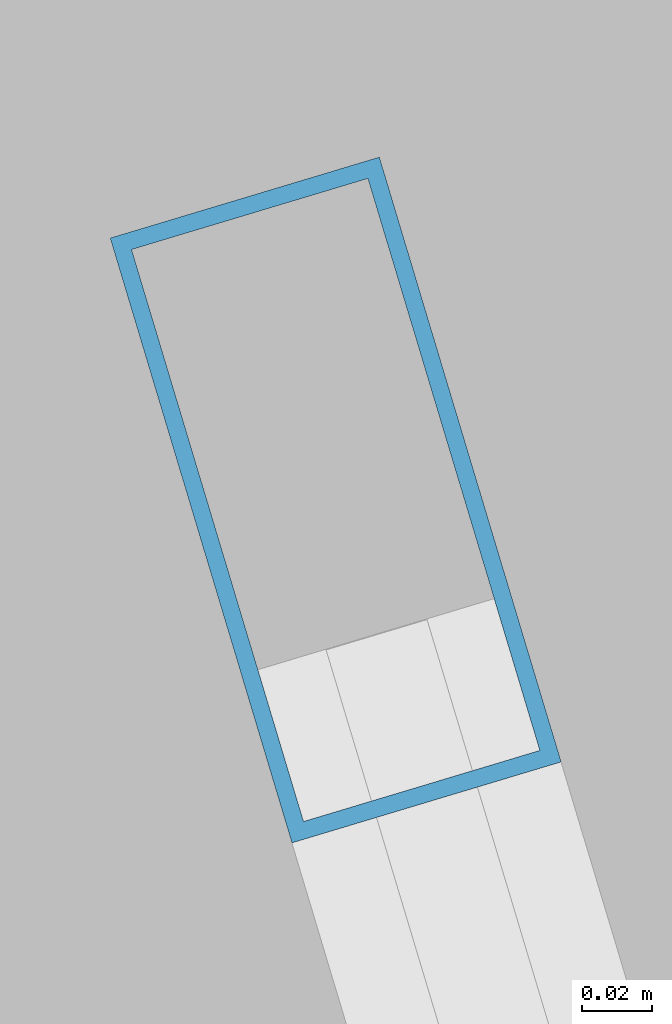
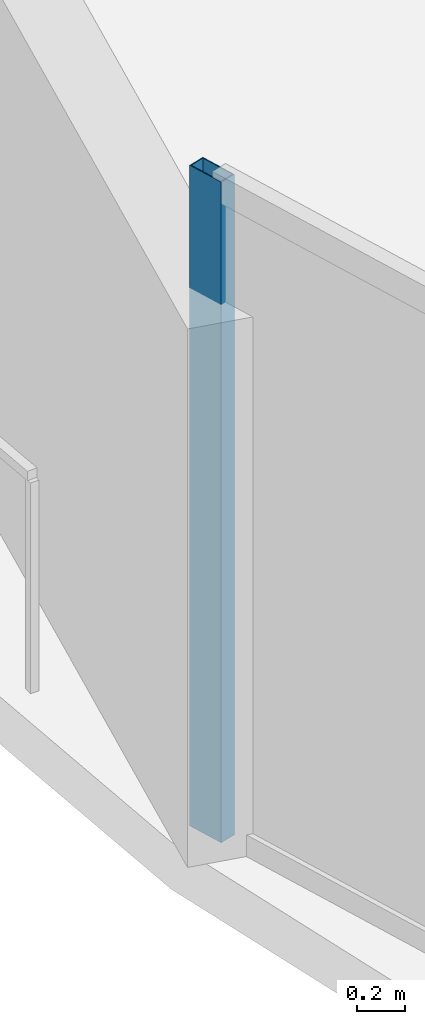
# One storey, part 8 of 32: 1 member, 1 element without a shape of its own.
"""IFC4 building model written with IfcOpenShell, lengths in metres."""

from ifc_helpers import new_model, si_unit, direction, frame, origin, origin_2d, place, context, subcontext, project, spatial, hollow_rectangle, extrude, material, layer, layer_set, material_profile, profile_set, type_object, element, aggregate, save


model = new_model("IFC4")

# Units and contexts
model_context = context("Model", 3, precision=1e-05, world=origin(), true_north=direction((0.0, 1.0)))
body_context = subcontext(model_context, "Body", "Model", "MODEL_VIEW")
ifc_project = project(units=[si_unit("LENGTHUNIT", "METRE"), si_unit("AREAUNIT", "SQUARE_METRE"), si_unit("VOLUMEUNIT", "CUBIC_METRE"), si_unit("PLANEANGLEUNIT", "RADIAN"), si_unit("MASSUNIT", "GRAM", prefix="KILO")], contexts=[model_context])

# Site, building, storey
site_placement = place(None, origin())
site = spatial("IfcSite", under=ifc_project, at=site_placement, CompositionType="ELEMENT")
building_placement = place(site_placement, origin())
building = spatial("IfcBuilding", under=site, at=building_placement, Name="Kazevale Care Tower and Concert Hall", CompositionType="ELEMENT")
storey_placement = place(building_placement, frame((0.0, 0.0, 85.199951171875)))
storey = spatial("IfcBuildingStorey", under=building, at=storey_placement, Name="L22", CompositionType="ELEMENT", Elevation=85.199951171875)

# Curtain wall, member
ifc_material_1 = material(Name="Aluminium 6063-T6 and Low-E Glass", Category="aluminium")
ifc_layer = layer(ifc_material_1, 0.179931640625)
ifc_layer_set = layer_set([ifc_layer], Name="Aluminium 6063-T6 and Low-E Glass")
curtain_wall_type = type_object("IfcCurtainWallType", Name="Waist & Upper Residential Curtain Wall CW-4", PredefinedType="NOTDEFINED", material=ifc_layer_set)
curtain_wall_placement = place(storey_placement, origin())
curtain_wall = element("IfcCurtainWall", 1, at=curtain_wall_placement, inside=storey, type_object=curtain_wall_type, Name="cw:L22:f12", PredefinedType="NOTDEFINED")
ifc_material_2 = material(Name="Aluminium 6063-T6", Category="aluminium")
ifc_material_profile = material_profile(ifc_material_2, hollow_rectangle(XDim=0.080078125, YDim=0.179931640625, WallThickness=0.0048828125, at=origin_2d()), Name="ALU80x180x5")
ifc_profile_set = profile_set([ifc_material_profile], Name="Aluminium 6063-T6")
member_type = type_object("IfcMemberType", Name="CW-4 Mullion ALU80x180x5", PredefinedType="MULLION", material=ifc_profile_set)
member_placement = place(storey_placement, frame((12.198486328125, 35.052734375, 0.0), z_axis=(0.0, 0.0, 1.0), x_axis=(-0.957661755703, -0.287895747909, 0.0)))
member = element("IfcMember", 2, at=member_placement, type_object=member_type, Name="CW-4 mullion 2", PredefinedType="MULLION", context=body_context, shape_type="SweptSolid", body=[
    extrude(hollow_rectangle(XDim=0.080078125, YDim=0.179931640625, WallThickness=0.0048828125, at=origin_2d()), origin(), (0.0, 0.0, 1.0), 3.360107421875),
])
aggregate(curtain_wall, [member])

save(model, "model.ifc")
